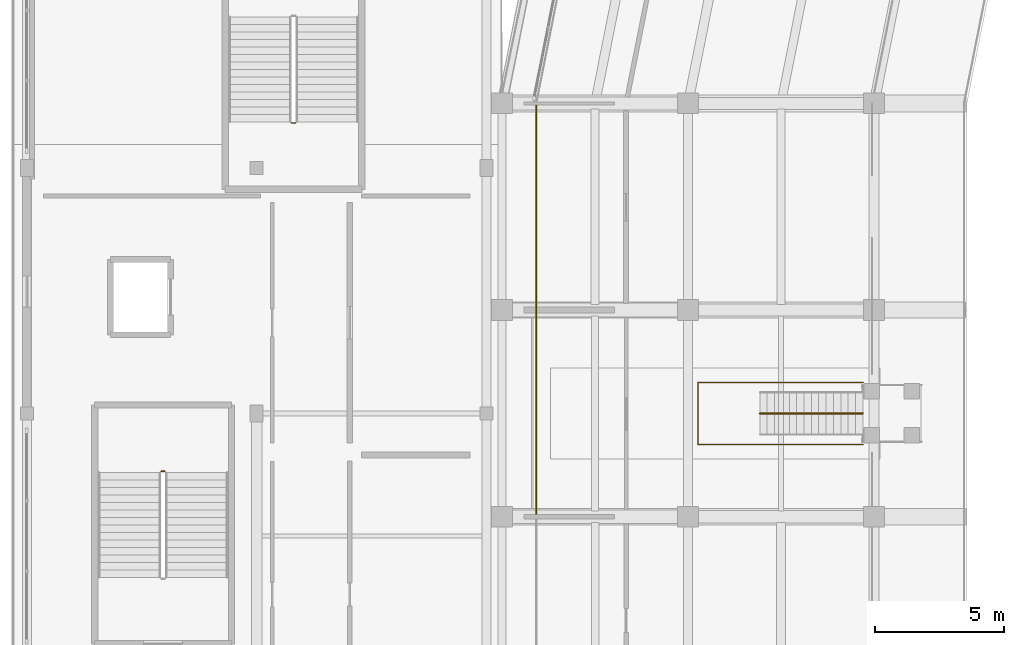
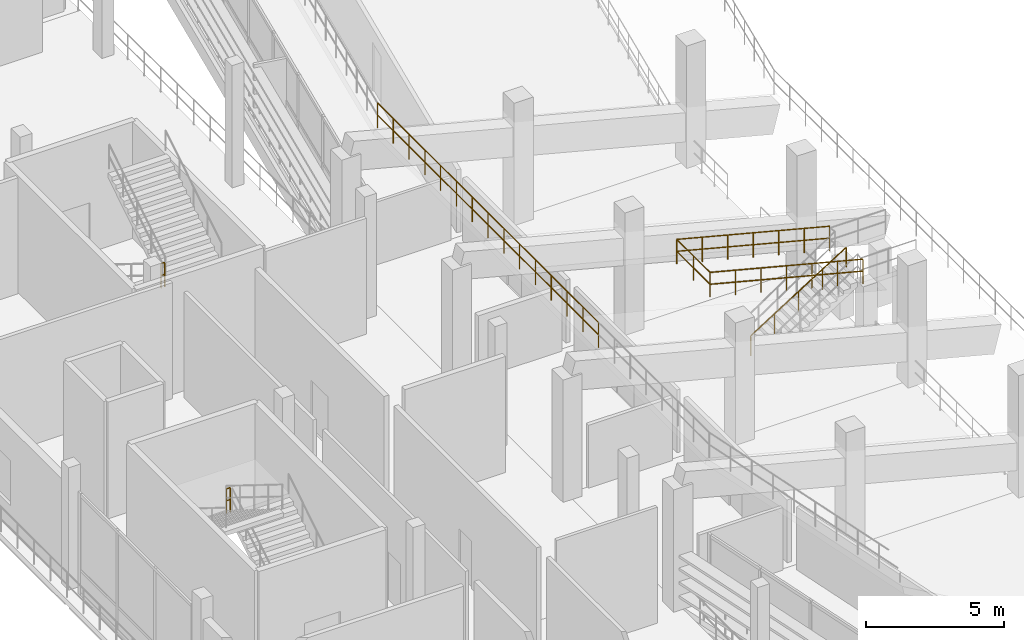
# One storey, part 83 of 96: 6 railings.
"""IFC4 building model written with IfcOpenShell, lengths in metres."""

from ifc_helpers import new_model, si_unit, direction, frame, origin, origin_2d, place, context, subcontext, project, spatial, circle, extrude, material, layer, layer_set, type_object, element, save


model = new_model("IFC4")

# Units and contexts
model_context = context("Model", 3, precision=1e-05, world=origin(), true_north=direction((0.0, 1.0)))
body_context = subcontext(model_context, "Body", "Model", "MODEL_VIEW")
ifc_project = project(units=[si_unit("LENGTHUNIT", "METRE"), si_unit("AREAUNIT", "SQUARE_METRE"), si_unit("VOLUMEUNIT", "CUBIC_METRE"), si_unit("PLANEANGLEUNIT", "RADIAN"), si_unit("MASSUNIT", "GRAM", prefix="KILO")], contexts=[model_context])

# Site, building, storey
site_placement = place(None, origin())
site = spatial("IfcSite", under=ifc_project, at=site_placement, CompositionType="ELEMENT")
building_placement = place(site_placement, origin())
building = spatial("IfcBuilding", under=site, at=building_placement, Name="Candeia Ridge Stadium", CompositionType="ELEMENT")
storey_placement = place(building_placement, frame((0.0, 0.0, 21.60009765625)))
storey = spatial("IfcBuildingStorey", under=building, at=storey_placement, Name="L04", CompositionType="ELEMENT", Elevation=21.60009765625)

# Railings
ifc_material_1 = material(Name="Galvanized Powder-Coated Steel", Category="steel")
ifc_layer_1 = layer(ifc_material_1, 0.074951171875, Name="Galvanized Powder-Coated Steel", Category="steel")
ifc_layer_set_1 = layer_set([ifc_layer_1], Name="Galvanized Powder-Coated Steel")
railing_type_1 = type_object("IfcRailingType", Name="Spectator Bowl Front Guardrail 1120", PredefinedType="GUARDRAIL", material=ifc_layer_set_1)
for number, where, name in (
    (1, (20.320068359375, 95.0, 6.0), "Stand T3 rear safety guardrail bay 12"),
    (2, (20.320068359375, 87.0, 6.0), "Stand T3 rear safety guardrail bay 13"),
):
    element("IfcRailing", number, at=place(storey_placement, frame(where)), inside=storey, type_object=railing_type_1, Name=name, PredefinedType="GUARDRAIL", context=body_context, shape_type="SweptSolid", body=[
        extrude(circle(Radius=0.02392578125, at=origin_2d()), frame((0.0, 0.0, 1.09619140625), z_axis=(0.0, -1.0, 0.0), x_axis=(1.0, 0.0, 0.0)), (0.0, 0.0, 1.0), 8.0),
        extrude(circle(Radius=0.02392578125, at=origin_2d()), frame((0.0, 0.0, 0.56005859375), z_axis=(0.0, -1.0, 0.0), x_axis=(1.0, 0.0, 0.0)), (0.0, 0.0, 1.0), 8.0),
        extrude(circle(Radius=0.02099609375, at=origin_2d()), origin(), (0.0, 0.0, 1.0), 1.072021484375),
        extrude(circle(Radius=0.02099609375, at=origin_2d()), frame((0.0, -1.142822265625, 0.0)), (0.0, 0.0, 1.0), 1.072021484375),
        extrude(circle(Radius=0.02099609375, at=origin_2d()), frame((0.0, -2.28564453125, 0.0)), (0.0, 0.0, 1.0), 1.072021484375),
        extrude(circle(Radius=0.02099609375, at=origin_2d()), frame((0.0, -3.428466796875, 0.0)), (0.0, 0.0, 1.0), 1.072021484375),
        extrude(circle(Radius=0.02099609375, at=origin_2d()), frame((0.0, -4.571533203125, 0.0)), (0.0, 0.0, 1.0), 1.072021484375),
        extrude(circle(Radius=0.02099609375, at=origin_2d()), frame((0.0, -5.71435546875, 0.0)), (0.0, 0.0, 1.0), 1.072021484375),
        extrude(circle(Radius=0.02099609375, at=origin_2d()), frame((0.0, -6.857177734375, 0.0)), (0.0, 0.0, 1.0), 1.072021484375),
        extrude(circle(Radius=0.02099609375, at=origin_2d()), frame((0.0, -8.0, 0.0)), (0.0, 0.0, 1.0), 1.072021484375),
    ])
ifc_material_2 = material(Name="Brushed Stainless Steel", Category="steel")
ifc_layer_2 = layer(ifc_material_2, 0.048095703125, Name="Brushed Stainless Steel", Category="steel")
ifc_layer_set_2 = layer_set([ifc_layer_2], Name="Brushed Stainless Steel")
railing_type_2 = type_object("IfcRailingType", Name="Stair Wall & Flight Handrail 900", PredefinedType="HANDRAIL", material=ifc_layer_set_2)
railing_1_placement = place(storey_placement, frame((28.97802734375, 83.0, 0.179443359375)))
element("IfcRailing", 3, at=railing_1_placement, inside=storey, type_object=railing_type_2, Name="Vomitory stair handrail VS29", PredefinedType="HANDRAIL", context=body_context, shape_type="SweptSolid", body=[
    extrude(circle(Radius=0.02392578125, at=origin_2d()), frame((0.0, 0.0, 0.8759765625), z_axis=(0.846023572205, 0.0, 0.533145491656), x_axis=(0.0, 1.0, 0.0)), (0.0, 0.0, 1.0), 4.716064453125),
    extrude(circle(Radius=0.02099609375, at=origin_2d()), origin(), (0.0, 0.0, 1.0), 0.851806640625),
    extrude(circle(Radius=0.02099609375, at=origin_2d()), frame((0.99755859375, 0.0, 0.628662109375)), (0.0, 0.0, 1.0), 0.851806640625),
    extrude(circle(Radius=0.02099609375, at=origin_2d()), frame((1.9951171875, 0.0, 1.25732421875)), (0.0, 0.0, 1.0), 0.851806640625),
    extrude(circle(Radius=0.02099609375, at=origin_2d()), frame((2.992431640625, 0.0, 1.8857421875)), (0.0, 0.0, 1.0), 0.851806640625),
    extrude(circle(Radius=0.02099609375, at=origin_2d()), frame((3.989990234375, 0.0, 2.514404296875)), (0.0, 0.0, 1.0), 0.851806640625),
])
ifc_layer_3 = layer(ifc_material_1, 0.06005859375, Name="Galvanized Powder-Coated Steel", Category="steel")
ifc_layer_set_3 = layer_set([ifc_layer_3], Name="Galvanized Powder-Coated Steel")
railing_type_3 = type_object("IfcRailingType", Name="Stair Well Guardrail 1100", PredefinedType="GUARDRAIL", material=ifc_layer_set_3)
railing_2_placement = place(storey_placement, frame((5.949951171875, 80.760009765625, 2.699951171875)))
element("IfcRailing", 4, at=railing_2_placement, inside=storey, type_object=railing_type_3, Name="L04 ST07 stair guard 2", PredefinedType="GUARDRAIL", context=body_context, shape_type="SweptSolid", body=[
    extrude(circle(Radius=0.02392578125, at=origin_2d()), frame((0.0, 0.0, 1.076171875), z_axis=(-1.0, 0.0, 0.0), x_axis=(0.0, -1.0, 0.0)), (0.0, 0.0, 1.0), 0.14990234375),
    extrude(circle(Radius=0.02392578125, at=origin_2d()), frame((0.0, 0.0, 0.550048828125), z_axis=(-1.0, 0.0, 0.0), x_axis=(0.0, -1.0, 0.0)), (0.0, 0.0, 1.0), 0.14990234375),
    extrude(circle(Radius=0.02099609375, at=origin_2d()), origin(), (0.0, 0.0, 1.0), 1.052001953125),
    extrude(circle(Radius=0.02099609375, at=origin_2d()), frame((-0.14990234375, 0.0, 0.0)), (0.0, 0.0, 1.0), 1.052001953125),
])
railing_3_placement = place(storey_placement, frame((10.85009765625, 94.239990234375, 2.699951171875)))
element("IfcRailing", 5, at=railing_3_placement, inside=storey, type_object=railing_type_3, Name="L04 ST08 stair guard 2", PredefinedType="GUARDRAIL", context=body_context, shape_type="SweptSolid", body=[
    extrude(circle(Radius=0.02392578125, at=origin_2d()), frame((0.0, 0.0, 1.076171875), z_axis=(1.0, 0.0, 0.0), x_axis=(0.0, 1.0, 0.0)), (0.0, 0.0, 1.0), 0.14990234375),
    extrude(circle(Radius=0.02392578125, at=origin_2d()), frame((0.0, 0.0, 0.550048828125), z_axis=(1.0, 0.0, 0.0), x_axis=(0.0, 1.0, 0.0)), (0.0, 0.0, 1.0), 0.14990234375),
    extrude(circle(Radius=0.02099609375, at=origin_2d()), origin(), (0.0, 0.0, 1.0), 1.052001953125),
    extrude(circle(Radius=0.02099609375, at=origin_2d()), frame((0.14990234375, 0.0, 0.0)), (0.0, 0.0, 1.0), 1.052001953125),
])
ifc_layer_4 = layer(ifc_material_1, 0.070068359375, Name="Galvanized Powder-Coated Steel", Category="steel")
ifc_layer_set_4 = layer_set([ifc_layer_4], Name="Galvanized Powder-Coated Steel")
railing_type_4 = type_object("IfcRailingType", Name="Vomitory Portal Guardrail 1100", PredefinedType="GUARDRAIL", material=ifc_layer_set_4)
railing_4_placement = place(storey_placement, frame((32.968017578125, 84.199951171875, 2.69384765625)))
element("IfcRailing", 6, at=railing_4_placement, inside=storey, type_object=railing_type_4, Name="Vomitory portal guardrail VS29", PredefinedType="GUARDRAIL", context=body_context, shape_type="SweptSolid", body=[
    extrude(circle(Radius=0.02392578125, at=origin_2d()), frame((0.0, 0.0, 1.076171875), z_axis=(-0.9680721346, 0.0, 0.250671781842), x_axis=(0.0, -1.0, 0.0)), (0.0, 0.0, 1.0), 6.594482421875),
    extrude(circle(Radius=0.02392578125, at=origin_2d()), frame((0.0, 0.0, 0.550048828125), z_axis=(-0.9680721346, 0.0, 0.250671781842), x_axis=(0.0, -1.0, 0.0)), (0.0, 0.0, 1.0), 6.594482421875),
    extrude(circle(Radius=0.02392578125, at=origin_2d()), frame((-6.384033203125, 0.0, 2.72900390625), z_axis=(0.0, -1.0, 0.0), x_axis=(1.0, 0.0, 0.0)), (0.0, 0.0, 1.0), 2.39990234375),
    extrude(circle(Radius=0.02392578125, at=origin_2d()), frame((-6.384033203125, 0.0, 2.203125), z_axis=(0.0, -1.0, 0.0), x_axis=(1.0, 0.0, 0.0)), (0.0, 0.0, 1.0), 2.39990234375),
    extrude(circle(Radius=0.02392578125, at=origin_2d()), frame((-6.384033203125, -2.39990234375, 2.72900390625), z_axis=(0.9680721346, 0.0, -0.250671781842), x_axis=(0.0, 1.0, 0.0)), (0.0, 0.0, 1.0), 6.594482421875),
    extrude(circle(Radius=0.02392578125, at=origin_2d()), frame((-6.384033203125, -2.39990234375, 2.203125), z_axis=(0.9680721346, 0.0, -0.250671781842), x_axis=(0.0, 1.0, 0.0)), (0.0, 0.0, 1.0), 6.594482421875),
    extrude(circle(Radius=0.02099609375, at=origin_2d()), origin(), (0.0, 0.0, 1.0), 1.052001953125),
    extrude(circle(Radius=0.02099609375, at=origin_2d()), frame((-1.06396484375, 0.0, 0.275390625)), (0.0, 0.0, 1.0), 1.052001953125),
    extrude(circle(Radius=0.02099609375, at=origin_2d()), frame((-2.1279296875, 0.0, 0.551025390625)), (0.0, 0.0, 1.0), 1.052001953125),
    extrude(circle(Radius=0.02099609375, at=origin_2d()), frame((-3.19189453125, 0.0, 0.82666015625)), (0.0, 0.0, 1.0), 1.052001953125),
    extrude(circle(Radius=0.02099609375, at=origin_2d()), frame((-4.256103515625, 0.0, 1.10205078125)), (0.0, 0.0, 1.0), 1.052001953125),
    extrude(circle(Radius=0.02099609375, at=origin_2d()), frame((-5.320068359375, 0.0, 1.37744140625)), (0.0, 0.0, 1.0), 1.052001953125),
    extrude(circle(Radius=0.02099609375, at=origin_2d()), frame((-6.384033203125, 0.0, 1.653076171875)), (0.0, 0.0, 1.0), 1.052001953125),
    extrude(circle(Radius=0.02099609375, at=origin_2d()), frame((-6.384033203125, -1.199951171875, 1.653076171875)), (0.0, 0.0, 1.0), 1.052001953125),
    extrude(circle(Radius=0.02099609375, at=origin_2d()), frame((-6.384033203125, -2.39990234375, 1.653076171875)), (0.0, 0.0, 1.0), 1.052001953125),
    extrude(circle(Radius=0.02099609375, at=origin_2d()), frame((-5.320068359375, -2.39990234375, 1.37744140625)), (0.0, 0.0, 1.0), 1.052001953125),
    extrude(circle(Radius=0.02099609375, at=origin_2d()), frame((-4.256103515625, -2.39990234375, 1.10205078125)), (0.0, 0.0, 1.0), 1.052001953125),
    extrude(circle(Radius=0.02099609375, at=origin_2d()), frame((-3.19189453125, -2.39990234375, 0.82666015625)), (0.0, 0.0, 1.0), 1.052001953125),
    extrude(circle(Radius=0.02099609375, at=origin_2d()), frame((-2.1279296875, -2.39990234375, 0.551025390625)), (0.0, 0.0, 1.0), 1.052001953125),
    extrude(circle(Radius=0.02099609375, at=origin_2d()), frame((-1.06396484375, -2.39990234375, 0.275390625)), (0.0, 0.0, 1.0), 1.052001953125),
    extrude(circle(Radius=0.02099609375, at=origin_2d()), frame((0.0, -2.39990234375, 0.0)), (0.0, 0.0, 1.0), 1.052001953125),
])

save(model, "model.ifc")
